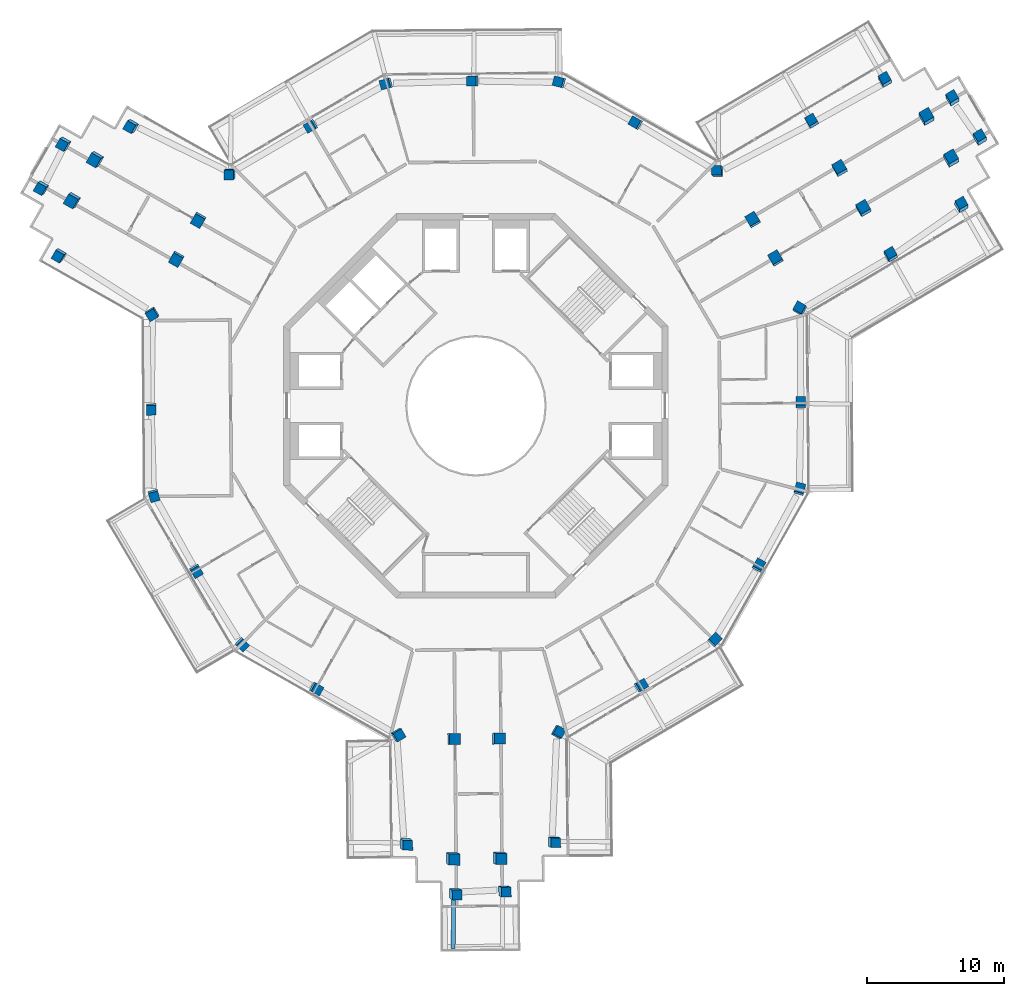
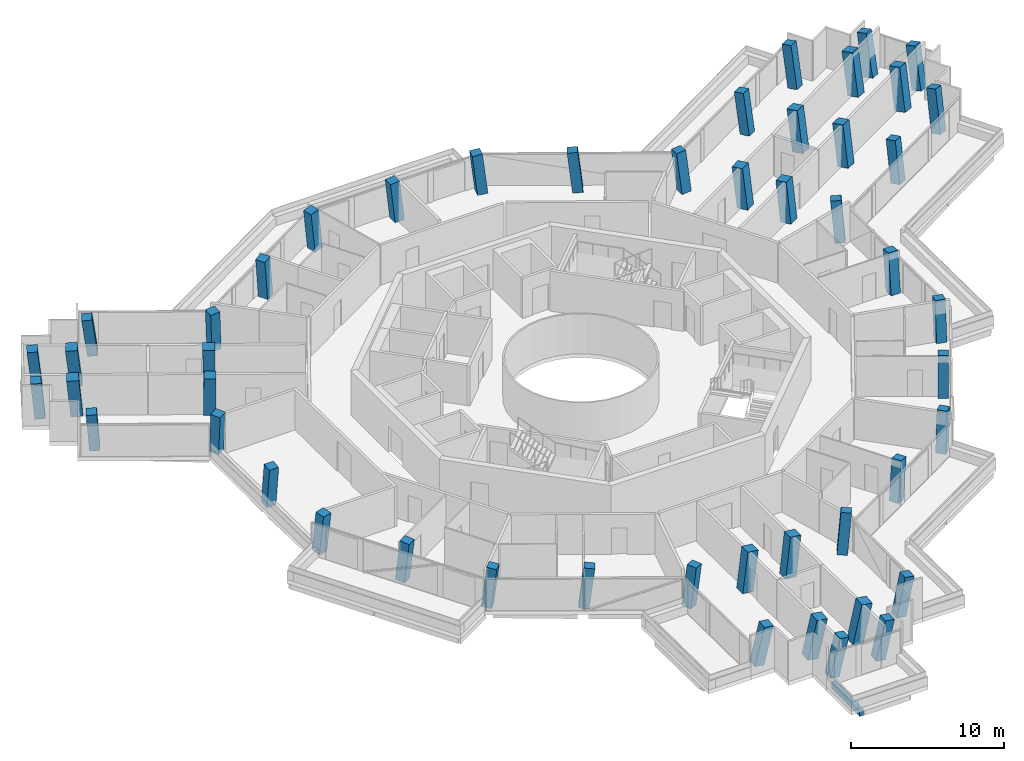
# One storey, part 1 of 26: 49 columns, 1 beam.
"""IFC4 building model written with IfcOpenShell, lengths in metres."""

from ifc_helpers import new_model, si_unit, direction, frame, origin, origin_2d, place, context, subcontext, project, spatial, rectangle, extrude, material, material_profile, profile_set, type_object, element, save


model = new_model("IFC4")

# Units and contexts
model_context = context("Model", 3, precision=1e-05, world=origin(), true_north=direction((0.0, 1.0)))
body_context = subcontext(model_context, "Body", "Model", "MODEL_VIEW")
ifc_project = project(units=[si_unit("LENGTHUNIT", "METRE"), si_unit("AREAUNIT", "SQUARE_METRE"), si_unit("VOLUMEUNIT", "CUBIC_METRE"), si_unit("PLANEANGLEUNIT", "RADIAN"), si_unit("MASSUNIT", "GRAM", prefix="KILO")], contexts=[model_context])

# Site, building, storey
site_placement = place(None, origin())
site = spatial("IfcSite", under=ifc_project, at=site_placement, CompositionType="ELEMENT")
building_placement = place(site_placement, origin())
building = spatial("IfcBuilding", under=site, at=building_placement, Name="Verdalira Terraces Hotel", CompositionType="ELEMENT")
storey_placement = place(building_placement, frame((0.0, 0.0, 281.0)))
storey = spatial("IfcBuildingStorey", under=building, at=storey_placement, Name="L69", CompositionType="ELEMENT", Elevation=281.0)

# Columns
ifc_material_1 = material(Name="Concrete C50", Category="concrete")
ifc_material_profile_1 = material_profile(ifc_material_1, rectangle(XDim=0.699951, YDim=0.699951, at=origin_2d()), Name="RC 700X700")
ifc_profile_set_1 = profile_set([ifc_material_profile_1], Name="Concrete C50")
column_type_1 = type_object("IfcColumnType", Name="Column RC 700X700 C50", PredefinedType="COLUMN", material=ifc_profile_set_1)
column_1_placement = place(storey_placement, frame((-25.031006, 20.390381, 0.0), z_axis=(-0.177484323, -0.073382219, 0.981383903), x_axis=(-0.855150506, 0.505028643, -0.116891754)))
element("IfcColumn", 1, at=column_1_placement, inside=storey, type_object=column_type_1, Name="Column C01", PredefinedType="COLUMN", context=body_context, shape_type="SweptSolid", body=[
    extrude(rectangle(XDim=0.699951, YDim=0.699951, at=origin_2d()), origin(), (0.0, 0.0, 1.0), 3.250488),
])
column_2_placement = place(storey_placement, frame((-30.307617, 10.98999, 0.0), z_axis=(-0.133812621, -0.098265106, 0.986122787), x_axis=(0.862915686, -0.500862076, 0.067184072)))
element("IfcColumn", 2, at=column_2_placement, inside=storey, type_object=column_type_1, Name="Column C02", PredefinedType="COLUMN", context=body_context, shape_type="SweptSolid", body=[
    extrude(rectangle(XDim=0.699951, YDim=0.699951, at=origin_2d()), origin(), (0.0, 0.0, 1.0), 3.234863),
])
column_3_placement = place(storey_placement, frame((-23.575439, 6.72998, 0.0), z_axis=(-0.031089215, -0.112346844, 0.993182585), x_axis=(-0.51120092, 0.855655826, 0.080788163)))
element("IfcColumn", 3, at=column_3_placement, inside=storey, type_object=column_type_1, Name="Column C03", PredefinedType="COLUMN", context=body_context, shape_type="SweptSolid", body=[
    extrude(rectangle(XDim=0.699951, YDim=0.699951, at=origin_2d()), origin(), (0.0, 0.0, 1.0), 3.211914),
])
column_4_placement = place(storey_placement, frame((-23.657471, -0.198242, 0.0), z_axis=(0.001901218, -0.112476061, 0.993652616), x_axis=(0.008362644, -0.993617878, -0.11248813)))
element("IfcColumn", 4, at=column_4_placement, inside=storey, type_object=column_type_1, Name="Column C04", PredefinedType="COLUMN", context=body_context, shape_type="SweptSolid", body=[
    extrude(rectangle(XDim=0.699951, YDim=0.699951, at=origin_2d()), origin(), (0.0, 0.0, 1.0), 3.210205),
])
column_5_placement = place(storey_placement, frame((-23.4646, -6.498535, 0.0), z_axis=(0.031776427, -0.111293516, 0.993279423), x_axis=(-0.264583542, 0.95739256, 0.115736922)))
element("IfcColumn", 5, at=column_5_placement, inside=storey, type_object=column_type_1, Name="Column C05", PredefinedType="COLUMN", context=body_context, shape_type="SweptSolid", body=[
    extrude(rectangle(XDim=0.699951, YDim=0.699951, at=origin_2d()), origin(), (0.0, 0.0, 1.0), 3.211426),
])
column_6_placement = place(storey_placement, frame((-20.388916, -12.000488, 0.0), z_axis=(0.057948635, -0.096505009, 0.993644171), x_axis=(0.504275135, -0.856175349, -0.112562695)))
element("IfcColumn", 6, at=column_6_placement, inside=storey, type_object=column_type_1, Name="Column C06", PredefinedType="COLUMN", context=body_context, shape_type="SweptSolid", body=[
    extrude(rectangle(XDim=0.699951, YDim=0.699951, at=origin_2d()), origin(), (0.0, 0.0, 1.0), 3.210449),
])
column_7_placement = place(storey_placement, frame((-17.071777, -17.360107, 0.0), z_axis=(0.083241478, -0.080504772, 0.993272288), x_axis=(-0.70810012, 0.696552232, 0.115798136)))
element("IfcColumn", 7, at=column_7_placement, inside=storey, type_object=column_type_1, Name="Column C07", PredefinedType="COLUMN", context=body_context, shape_type="SweptSolid", body=[
    extrude(rectangle(XDim=0.699951, YDim=0.699951, at=origin_2d()), origin(), (0.0, 0.0, 1.0), 3.211426),
])
column_8_placement = place(storey_placement, frame((-11.656982, -20.587158, 0.0), z_axis=(0.098331196, -0.054603093, 0.993654607), x_axis=(0.864581294, -0.489744386, -0.112470541)))
element("IfcColumn", 8, at=column_8_placement, inside=storey, type_object=column_type_1, Name="Column C08", PredefinedType="COLUMN", context=body_context, shape_type="SweptSolid", body=[
    extrude(rectangle(XDim=0.699951, YDim=0.699951, at=origin_2d()), origin(), (0.0, 0.0, 1.0), 3.210205),
])
column_9_placement = place(storey_placement, frame((-5.699463, -23.960449, 0.0), z_axis=(0.114088686, -0.026146907, 0.993126432), x_axis=(-0.499561948, 0.862567161, 0.080098392)))
element("IfcColumn", 9, at=column_9_placement, inside=storey, type_object=column_type_1, Name="Column C09", PredefinedType="COLUMN", context=body_context, shape_type="SweptSolid", body=[
    extrude(rectangle(XDim=0.699951, YDim=0.699951, at=origin_2d()), origin(), (0.0, 0.0, 1.0), 3.211914),
])
column_10_placement = place(storey_placement, frame((-5.143311, -31.872559, 0.0), z_axis=(0.152321764, -0.117020369, 0.981378782), x_axis=(-0.009727069, -0.993095151, -0.11690768)))
element("IfcColumn", 10, at=column_10_placement, inside=storey, type_object=column_type_1, Name="Column C10", PredefinedType="COLUMN", context=body_context, shape_type="SweptSolid", body=[
    extrude(rectangle(XDim=0.699951, YDim=0.699951, at=origin_2d()), origin(), (0.0, 0.0, 1.0), 3.250488),
])
column_11_placement = place(storey_placement, frame((-1.57251, -35.502686, 0.0), z_axis=(0.168999383, -0.100033827, 0.980526615), x_axis=(0.985583751, 0.025218942, -0.16729816)))
element("IfcColumn", 11, at=column_11_placement, inside=storey, type_object=column_type_1, Name="Column C11", PredefinedType="COLUMN", context=body_context, shape_type="SweptSolid", body=[
    extrude(rectangle(XDim=0.699951, YDim=0.699951, at=origin_2d()), origin(), (0.0, 0.0, 1.0), 3.253174),
])
column_12_placement = place(storey_placement, frame((2.005859, -35.312988, 0.0), z_axis=(0.168312022, -0.083291523, 0.982208524), x_axis=(0.985696299, 0.022909211, -0.166966984)))
element("IfcColumn", 12, at=column_12_placement, inside=storey, type_object=column_type_1, Name="Column C12", PredefinedType="COLUMN", context=body_context, shape_type="SweptSolid", body=[
    extrude(rectangle(XDim=0.699951, YDim=0.699951, at=origin_2d()), origin(), (0.0, 0.0, 1.0), 3.247803),
])
column_13_placement = place(storey_placement, frame((5.635986, -31.742188, 0.0), z_axis=(0.152001945, -0.066717835, 0.986125823), x_axis=(0.002119862, 0.997738837, 0.067176774)))
element("IfcColumn", 13, at=column_13_placement, inside=storey, type_object=column_type_1, Name="Column C13", PredefinedType="COLUMN", context=body_context, shape_type="SweptSolid", body=[
    extrude(rectangle(XDim=0.699951, YDim=0.699951, at=origin_2d()), origin(), (0.0, 0.0, 1.0), 3.234863),
])
column_14_placement = place(storey_placement, frame((5.959473, -23.781982, 0.0), z_axis=(0.112803339, 0.029265017, 0.993186269), x_axis=(-0.48524016, -0.870642737, 0.080766405)))
element("IfcColumn", 14, at=column_14_placement, inside=storey, type_object=column_type_1, Name="Column C14", PredefinedType="COLUMN", context=body_context, shape_type="SweptSolid", body=[
    extrude(rectangle(XDim=0.699951, YDim=0.699951, at=origin_2d()), origin(), (0.0, 0.0, 1.0), 3.211914),
])
column_15_placement = place(storey_placement, frame((12.000488, -20.388916, 0.0), z_axis=(0.096505009, 0.057948635, 0.993644171), x_axis=(0.856175349, 0.504275135, -0.112562695)))
element("IfcColumn", 15, at=column_15_placement, inside=storey, type_object=column_type_1, Name="Column C15", PredefinedType="COLUMN", context=body_context, shape_type="SweptSolid", body=[
    extrude(rectangle(XDim=0.699951, YDim=0.699951, at=origin_2d()), origin(), (0.0, 0.0, 1.0), 3.210449),
])
column_16_placement = place(storey_placement, frame((17.360107, -17.071777, 0.0), z_axis=(0.080504772, 0.083241478, 0.993272288), x_axis=(-0.696552232, -0.70810012, 0.115798136)))
element("IfcColumn", 16, at=column_16_placement, inside=storey, type_object=column_type_1, Name="Column C16", PredefinedType="COLUMN", context=body_context, shape_type="SweptSolid", body=[
    extrude(rectangle(XDim=0.699951, YDim=0.699951, at=origin_2d()), origin(), (0.0, 0.0, 1.0), 3.211426),
])
column_17_placement = place(storey_placement, frame((20.587158, -11.656982, 0.0), z_axis=(0.054603093, 0.098331196, 0.993654607), x_axis=(0.489744386, 0.864581294, -0.112470541)))
element("IfcColumn", 17, at=column_17_placement, inside=storey, type_object=column_type_1, Name="Column C17", PredefinedType="COLUMN", context=body_context, shape_type="SweptSolid", body=[
    extrude(rectangle(XDim=0.699951, YDim=0.699951, at=origin_2d()), origin(), (0.0, 0.0, 1.0), 3.210205),
])
column_18_placement = place(storey_placement, frame((23.570312, -6.104492, 0.0), z_axis=(0.028051466, 0.112281885, 0.99328037), x_axis=(-0.248925653, -0.96158352, 0.115728794)))
element("IfcColumn", 18, at=column_18_placement, inside=storey, type_object=column_type_1, Name="Column C18", PredefinedType="COLUMN", context=body_context, shape_type="SweptSolid", body=[
    extrude(rectangle(XDim=0.699951, YDim=0.699951, at=origin_2d()), origin(), (0.0, 0.0, 1.0), 3.211426),
])
column_19_placement = place(storey_placement, frame((23.657471, 0.198242, 0.0), z_axis=(-0.001901218, 0.112476061, 0.993652616), x_axis=(-0.008362644, 0.993617878, -0.11248813)))
element("IfcColumn", 19, at=column_19_placement, inside=storey, type_object=column_type_1, Name="Column C19", PredefinedType="COLUMN", context=body_context, shape_type="SweptSolid", body=[
    extrude(rectangle(XDim=0.699951, YDim=0.699951, at=origin_2d()), origin(), (0.0, 0.0, 1.0), 3.210205),
])
column_20_placement = place(storey_placement, frame((23.600098, 7.044434, 0.0), z_axis=(-0.034431763, 0.111884229, 0.993124551), x_axis=(-0.497018974, -0.864033933, 0.080109318)))
element("IfcColumn", 20, at=column_20_placement, inside=storey, type_object=column_type_1, Name="Column C20", PredefinedType="COLUMN", context=body_context, shape_type="SweptSolid", body=[
    extrude(rectangle(XDim=0.699951, YDim=0.699951, at=origin_2d()), origin(), (0.0, 0.0, 1.0), 3.211914),
])
column_21_placement = place(storey_placement, frame((30.21582, 10.938232, 0.0), z_axis=(-0.012525665, 0.1668328, 0.985905637), x_axis=(0.864959521, 0.496499756, -0.073027528)))
element("IfcColumn", 21, at=column_21_placement, inside=storey, type_object=column_type_1, Name="Column C21", PredefinedType="COLUMN", context=body_context, shape_type="SweptSolid", body=[
    extrude(rectangle(XDim=0.699951, YDim=0.699951, at=origin_2d()), origin(), (0.0, 0.0, 1.0), 3.235596),
])
column_22_placement = place(storey_placement, frame((35.344971, 14.525635, 0.0), z_axis=(0.010616456, 0.213600107, 0.976863494), x_axis=(0.866541263, 0.485537261, -0.115584633)))
element("IfcColumn", 22, at=column_22_placement, inside=storey, type_object=column_type_1, Name="Column C22", PredefinedType="COLUMN", context=body_context, shape_type="SweptSolid", body=[
    extrude(rectangle(XDim=0.699951, YDim=0.699951, at=origin_2d()), origin(), (0.0, 0.0, 1.0), 3.265381),
])
column_23_placement = place(storey_placement, frame((36.703613, 19.432861, 0.0), z_axis=(-0.012394079, 0.219434928, 0.975548409), x_axis=(-0.514873598, 0.834945138, -0.194349669)))
element("IfcColumn", 23, at=column_23_placement, inside=storey, type_object=column_type_1, Name="Column C23", PredefinedType="COLUMN", context=body_context, shape_type="SweptSolid", body=[
    extrude(rectangle(XDim=0.699951, YDim=0.699951, at=origin_2d()), origin(), (0.0, 0.0, 1.0), 3.269775),
])
column_24_placement = place(storey_placement, frame((34.714355, 22.300049, 0.0), z_axis=(-0.025729622, 0.210399493, 0.977276849), x_axis=(-0.512058087, 0.836838036, -0.193645598)))
element("IfcColumn", 24, at=column_24_placement, inside=storey, type_object=column_type_1, Name="Column C24", PredefinedType="COLUMN", context=body_context, shape_type="SweptSolid", body=[
    extrude(rectangle(XDim=0.699951, YDim=0.699951, at=origin_2d()), origin(), (0.0, 0.0, 1.0), 3.26416),
])
column_25_placement = place(storey_placement, frame((29.806885, 23.658691, 0.0), z_axis=(-0.032003683, 0.188265798, 0.981596533), x_axis=(-0.866039342, -0.495493663, 0.066797364)))
element("IfcColumn", 25, at=column_25_placement, inside=storey, type_object=column_type_1, Name="Column C25", PredefinedType="COLUMN", context=body_context, shape_type="SweptSolid", body=[
    extrude(rectangle(XDim=0.699951, YDim=0.699951, at=origin_2d()), origin(), (0.0, 0.0, 1.0), 3.249756),
])
column_26_placement = place(storey_placement, frame((24.483887, 20.676514, 0.0), z_axis=(-0.058327151, 0.139803599, 0.988459861), x_axis=(-0.863369763, -0.504160789, 0.020360558)))
element("IfcColumn", 26, at=column_26_placement, inside=storey, type_object=column_type_1, Name="Column C26", PredefinedType="COLUMN", context=body_context, shape_type="SweptSolid", body=[
    extrude(rectangle(XDim=0.699951, YDim=0.699951, at=origin_2d()), origin(), (0.0, 0.0, 1.0), 3.227295),
])
column_27_placement = place(storey_placement, frame((17.616211, 17.052002, 0.0), z_axis=(-0.081789563, 0.083081777, 0.993180691), x_axis=(0.996614216, 0.015217444, 0.080799344)))
element("IfcColumn", 27, at=column_27_placement, inside=storey, type_object=column_type_1, Name="Column C27", PredefinedType="COLUMN", context=body_context, shape_type="SweptSolid", body=[
    extrude(rectangle(XDim=0.699951, YDim=0.699951, at=origin_2d()), origin(), (0.0, 0.0, 1.0), 3.211914),
])
column_28_placement = place(storey_placement, frame((11.656982, 20.587158, 0.0), z_axis=(-0.098331196, 0.054603093, 0.993654607), x_axis=(-0.864581294, 0.489744386, -0.112470541)))
element("IfcColumn", 28, at=column_28_placement, inside=storey, type_object=column_type_1, Name="Column C28", PredefinedType="COLUMN", context=body_context, shape_type="SweptSolid", body=[
    extrude(rectangle(XDim=0.699951, YDim=0.699951, at=origin_2d()), origin(), (0.0, 0.0, 1.0), 3.210205),
])
column_29_placement = place(storey_placement, frame((6.104492, 23.570312, 0.0), z_axis=(-0.112281885, 0.028051466, 0.99328037), x_axis=(0.96158352, -0.248925653, 0.115728794)))
element("IfcColumn", 29, at=column_29_placement, inside=storey, type_object=column_type_1, Name="Column C29", PredefinedType="COLUMN", context=body_context, shape_type="SweptSolid", body=[
    extrude(rectangle(XDim=0.699951, YDim=0.699951, at=origin_2d()), origin(), (0.0, 0.0, 1.0), 3.211426),
])
column_30_placement = place(storey_placement, frame((-0.198242, 23.657471, 0.0), z_axis=(-0.112476061, -0.001901218, 0.993652616), x_axis=(-0.993617878, -0.008362644, -0.11248813)))
element("IfcColumn", 30, at=column_30_placement, inside=storey, type_object=column_type_1, Name="Column C30", PredefinedType="COLUMN", context=body_context, shape_type="SweptSolid", body=[
    extrude(rectangle(XDim=0.699951, YDim=0.699951, at=origin_2d()), origin(), (0.0, 0.0, 1.0), 3.210205),
])
column_31_placement = place(storey_placement, frame((-6.498535, 23.4646, 0.0), z_axis=(-0.111293516, -0.031776427, 0.993279423), x_axis=(0.95739256, 0.264583542, 0.115736922)))
element("IfcColumn", 31, at=column_31_placement, inside=storey, type_object=column_type_1, Name="Column C31", PredefinedType="COLUMN", context=body_context, shape_type="SweptSolid", body=[
    extrude(rectangle(XDim=0.699951, YDim=0.699951, at=origin_2d()), origin(), (0.0, 0.0, 1.0), 3.211426),
])
column_32_placement = place(storey_placement, frame((-12.000488, 20.388916, 0.0), z_axis=(-0.096505009, -0.057948635, 0.993644171), x_axis=(-0.856175349, -0.504275135, -0.112562695)))
element("IfcColumn", 32, at=column_32_placement, inside=storey, type_object=column_type_1, Name="Column C32", PredefinedType="COLUMN", context=body_context, shape_type="SweptSolid", body=[
    extrude(rectangle(XDim=0.699951, YDim=0.699951, at=origin_2d()), origin(), (0.0, 0.0, 1.0), 3.210449),
])
column_33_placement = place(storey_placement, frame((-17.900635, 16.916016, 0.0), z_axis=(-0.079732533, -0.085737175, 0.993122279), x_axis=(0.996784404, 0.001111569, 0.080122508)))
element("IfcColumn", 33, at=column_33_placement, inside=storey, type_object=column_type_1, Name="Column C33", PredefinedType="COLUMN", context=body_context, shape_type="SweptSolid", body=[
    extrude(rectangle(XDim=0.699951, YDim=0.699951, at=origin_2d()), origin(), (0.0, 0.0, 1.0), 3.211914),
])
column_34_placement = place(storey_placement, frame((-29.960205, 19.113281, 0.0), z_axis=(-0.171101263, -0.096357027, 0.980530306), x_axis=(-0.470826686, -0.866220994, -0.167282458)))
element("IfcColumn", 34, at=column_34_placement, inside=storey, type_object=column_type_1, Name="Column C34", PredefinedType="COLUMN", context=body_context, shape_type="SweptSolid", body=[
    extrude(rectangle(XDim=0.699951, YDim=0.699951, at=origin_2d()), origin(), (0.0, 0.0, 1.0), 3.253174),
])
column_35_placement = place(storey_placement, frame((-31.584717, 15.919189, 0.0), z_axis=(-0.156359065, -0.104038917, 0.982205552), x_axis=(-0.473484186, -0.864829542, -0.166980805)))
element("IfcColumn", 35, at=column_35_placement, inside=storey, type_object=column_type_1, Name="Column C35", PredefinedType="COLUMN", context=body_context, shape_type="SweptSolid", body=[
    extrude(rectangle(XDim=0.699951, YDim=0.699951, at=origin_2d()), origin(), (0.0, 0.0, 1.0), 3.247803),
])
ifc_material_2 = material(Name="Concrete C50", Category="concrete")
ifc_material_profile_2 = material_profile(ifc_material_2, rectangle(XDim=0.800049, YDim=0.800049, at=origin_2d()), Name="RC 800X800")
ifc_profile_set_2 = profile_set([ifc_material_profile_2], Name="Concrete C50")
column_type_2 = type_object("IfcColumnType", Name="Column RC 800X800 C50", PredefinedType="COLUMN", material=ifc_profile_set_2)
for number, where, z_axis, x_axis, name in (
    (36, (-20.19458, 13.568115, 0.0), (-0.063705424, -0.096546407, 0.993287677), (-0.86968968, 0.49353714, -0.007807117), "Column C36"),
    (37, (-21.799072, 10.734619, 0.0), (-0.050174107, -0.104149282, 0.993295266), (-0.870716292, 0.491727299, 0.007576431), "Column C37"),
):
    element("IfcColumn", number, at=place(storey_placement, frame(where, z_axis=z_axis, x_axis=x_axis)), inside=storey, type_object=column_type_2, Name=name, PredefinedType="COLUMN", context=body_context, shape_type="SweptSolid", body=[
        extrude(rectangle(XDim=0.800049, YDim=0.800049, at=origin_2d()), origin(), (0.0, 0.0, 1.0), 3.211426),
    ])
column_36_placement = place(storey_placement, frame((-27.646484, 17.983154, 0.0), z_axis=(-0.16623192, -0.085709809, 0.982354711), x_axis=(-0.857743295, 0.504024951, -0.101169599)))
element("IfcColumn", 38, at=column_36_placement, inside=storey, type_object=column_type_2, Name="Column C38", PredefinedType="COLUMN", context=body_context, shape_type="SweptSolid", body=[
    extrude(rectangle(XDim=0.800049, YDim=0.800049, at=origin_2d()), origin(), (0.0, 0.0, 1.0), 3.247314),
])
column_37_placement = place(storey_placement, frame((-29.334961, 15.001709, 0.0), z_axis=(-0.152333465, -0.093674162, 0.983879905), x_axis=(-0.860372194, 0.50246529, -0.085371661)))
element("IfcColumn", 39, at=column_37_placement, inside=storey, type_object=column_type_2, Name="Column C39", PredefinedType="COLUMN", context=body_context, shape_type="SweptSolid", body=[
    extrude(rectangle(XDim=0.800049, YDim=0.800049, at=origin_2d()), origin(), (0.0, 0.0, 1.0), 3.242188),
])
for number, where, z_axis, x_axis, name in (
    (40, (-1.653076, -24.272949, 0.0), (0.115475418, -0.006917882, 0.993286248), (0.00725726, -0.999943182, -0.007807945), "Column C40"),
    (41, (1.603271, -24.24585, 0.0), (0.115173881, 0.008590527, 0.9933082), (0.009302595, -0.999928082, 0.007569144), "Column C41"),
):
    element("IfcColumn", number, at=place(storey_placement, frame(where, z_axis=z_axis, x_axis=x_axis)), inside=storey, type_object=column_type_2, Name=name, PredefinedType="COLUMN", context=body_context, shape_type="SweptSolid", body=[
        extrude(rectangle(XDim=0.800049, YDim=0.800049, at=origin_2d()), origin(), (0.0, 0.0, 1.0), 3.211426),
    ])
column_38_placement = place(storey_placement, frame((-1.750488, -32.934082, 0.0), z_axis=(0.157284992, -0.101197705, 0.982354547), x_axis=(-0.008202816, -0.994835329, -0.101170064)))
element("IfcColumn", 42, at=column_38_placement, inside=storey, type_object=column_type_2, Name="Column C42", PredefinedType="COLUMN", context=body_context, shape_type="SweptSolid", body=[
    extrude(rectangle(XDim=0.800049, YDim=0.800049, at=origin_2d()), origin(), (0.0, 0.0, 1.0), 3.247314),
])
column_39_placement = place(storey_placement, frame((1.675781, -32.905518, 0.0), z_axis=(0.15730197, -0.085164446, 0.983871489), x_axis=(-0.005312527, -0.996333118, -0.085393762)))
element("IfcColumn", 43, at=column_39_placement, inside=storey, type_object=column_type_2, Name="Column C43", PredefinedType="COLUMN", context=body_context, shape_type="SweptSolid", body=[
    extrude(rectangle(XDim=0.800049, YDim=0.800049, at=origin_2d()), origin(), (0.0, 0.0, 1.0), 3.242188),
])
for number, where, z_axis, x_axis, name in (
    (44, (21.847656, 10.704834, 0.0), (-0.05177002, 0.103464018, 0.993284985), (0.862256967, 0.506410849, -0.007808677), "Column C44"),
    (45, (20.195801, 13.51123, 0.0), (-0.065074715, 0.09548346, 0.993301661), (0.861223759, 0.508169548, 0.007572829), "Column C45"),
):
    element("IfcColumn", number, at=place(storey_placement, frame(where, z_axis=z_axis, x_axis=x_axis)), inside=storey, type_object=column_type_2, Name=name, PredefinedType="COLUMN", context=body_context, shape_type="SweptSolid", body=[
        extrude(rectangle(XDim=0.800049, YDim=0.800049, at=origin_2d()), origin(), (0.0, 0.0, 1.0), 3.211426),
    ])
column_40_placement = place(storey_placement, frame((28.233398, 14.306396, 0.0), z_axis=(-0.028405974, 0.157517172, 0.987107614), x_axis=(0.864478936, 0.499666772, -0.054856968)))
element("IfcColumn", 46, at=column_40_placement, inside=storey, type_object=column_type_2, Name="Column C46", PredefinedType="COLUMN", context=body_context, shape_type="SweptSolid", body=[
    extrude(rectangle(XDim=0.800049, YDim=0.800049, at=origin_2d()), origin(), (0.0, 0.0, 1.0), 3.231689),
])
column_41_placement = place(storey_placement, frame((26.512939, 17.229248, 0.0), z_axis=(-0.042112566, 0.149473149, 0.987868569), x_axis=(0.86419531, 0.50163796, -0.039061798)))
element("IfcColumn", 47, at=column_41_placement, inside=storey, type_object=column_type_2, Name="Column C47", PredefinedType="COLUMN", context=body_context, shape_type="SweptSolid", body=[
    extrude(rectangle(XDim=0.800049, YDim=0.800049, at=origin_2d()), origin(), (0.0, 0.0, 1.0), 3.229004),
])
column_42_placement = place(storey_placement, frame((34.618896, 17.907959, 0.0), z_axis=(-0.005162768, 0.210251836, 0.977633628), x_axis=(0.866886279, 0.488284045, -0.100433416)))
element("IfcColumn", 48, at=column_42_placement, inside=storey, type_object=column_type_2, Name="Column C48", PredefinedType="COLUMN", context=body_context, shape_type="SweptSolid", body=[
    extrude(rectangle(XDim=0.800049, YDim=0.800049, at=origin_2d()), origin(), (0.0, 0.0, 1.0), 3.262939),
])
column_43_placement = place(storey_placement, frame((32.830078, 20.94751, 0.0), z_axis=(-0.019334912, 0.202042341, 0.979185914), x_axis=(0.866706889, 0.491637829, -0.084329191)))
element("IfcColumn", 49, at=column_43_placement, inside=storey, type_object=column_type_2, Name="Column C49", PredefinedType="COLUMN", context=body_context, shape_type="SweptSolid", body=[
    extrude(rectangle(XDim=0.800049, YDim=0.800049, at=origin_2d()), origin(), (0.0, 0.0, 1.0), 3.257812),
])

# Beam
ifc_material_3 = material(Name="Concrete C40", Category="concrete")
ifc_material_profile_3 = material_profile(ifc_material_3, rectangle(XDim=0.300049, YDim=0.5, at=origin_2d()), Name="RC 300X500")
ifc_profile_set_3 = profile_set([ifc_material_profile_3], Name="Concrete C40")
beam_type = type_object("IfcBeamType", Name="Balcony cantilever beam RC 300X500 C40", PredefinedType="BEAM", material=ifc_profile_set_3)
beam_placement = place(storey_placement, frame((-1.62793, -35.817139, -0.560059), z_axis=(-0.008408032, -0.999964652, 0.0), x_axis=(0.999964652, -0.008408032, 0.0)))
element("IfcBeam", 50, at=beam_placement, inside=storey, type_object=beam_type, Name="Balcony cantilever beam R19-1", PredefinedType="BEAM", context=body_context, shape_type="SweptSolid", body=[
    extrude(rectangle(XDim=0.300049, YDim=0.5, at=origin_2d()), origin(), (0.0, 0.0, 1.0), 3.716797),
])

save(model, "model.ifc")
